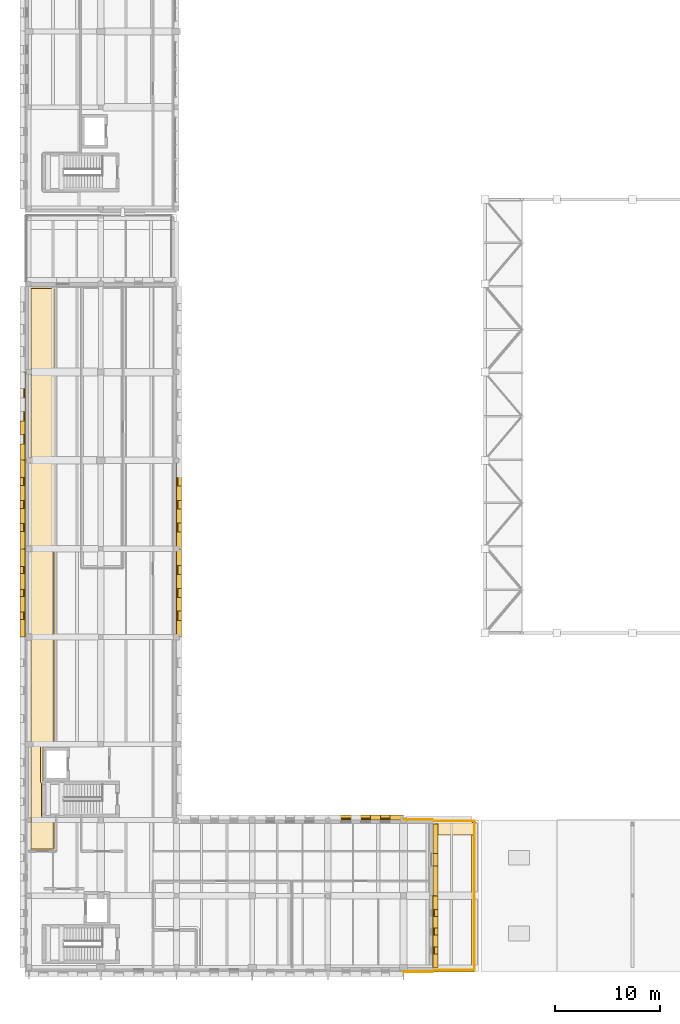
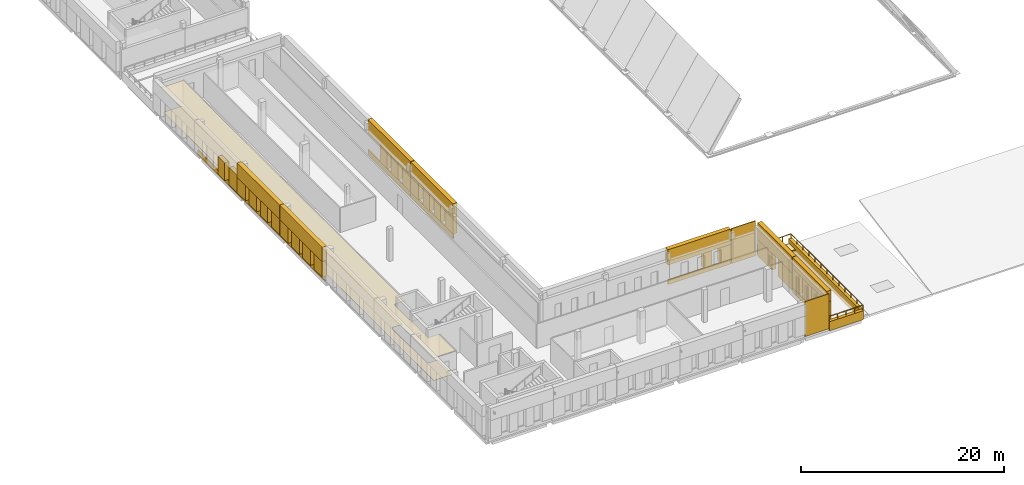
# One storey, part 49 of 56: 46 coverings, 1 railing.
"""IFC4 building model written with IfcOpenShell, lengths in metres."""

from ifc_helpers import new_model, si_unit, direction, frame, origin, origin_2d, place, context, subcontext, project, spatial, polyline, circle, outline, extrude, material, layer, layer_set, type_object, element, save


model = new_model("IFC4")

# Units and contexts
model_context = context("Model", 3, precision=1e-05, world=origin(), true_north=direction((0.0, 1.0)))
body_context = subcontext(model_context, "Body", "Model", "MODEL_VIEW")
ifc_project = project(units=[si_unit("LENGTHUNIT", "METRE"), si_unit("AREAUNIT", "SQUARE_METRE"), si_unit("VOLUMEUNIT", "CUBIC_METRE"), si_unit("PLANEANGLEUNIT", "RADIAN"), si_unit("MASSUNIT", "GRAM", prefix="KILO")], contexts=[model_context])

# Site, building, storey
site_placement = place(None, origin())
site = spatial("IfcSite", under=ifc_project, at=site_placement, CompositionType="ELEMENT")
building_placement = place(site_placement, origin())
building = spatial("IfcBuilding", under=site, at=building_placement, Name="Vardoun Plaza Health Centre", CompositionType="ELEMENT")
storey_placement = place(building_placement, frame((0.0, 0.0, 8.699951171875)))
storey = spatial("IfcBuildingStorey", under=building, at=storey_placement, Name="L02", CompositionType="ELEMENT", Elevation=8.699951171875)

# Coverings
ifc_material_1 = material(Name="Hygienic Acoustic Mineral-Fibre Ceiling", Category="concrete")
ifc_layer_1 = layer(ifc_material_1, 0.02490234375)
ifc_layer_set_1 = layer_set([ifc_layer_1], Name="Hygienic Acoustic Mineral-Fibre Ceiling")
covering_type_1 = type_object("IfcCoveringType", Name="CL-01", PredefinedType="CEILING", material=ifc_layer_set_1)
covering_1_placement = place(storey_placement, frame((0.0, 0.0, 2.880126953125)))
element("IfcCovering", 1, at=covering_1_placement, inside=storey, type_object=covering_type_1, Name="Specialist Consulting Room 22 Acoustic Ceiling", PredefinedType="CEILING", context=body_context, shape_type="SweptSolid", body=[
    extrude(outline(polyline([(4.860107421875, 69.639892578125), (7.449951171875, 69.639892578125), (7.449951171875, 25.860107421875), (6.199951171875, 25.860107421875), (6.198974609375, 25.860107421875), (6.197998046875, 25.85986328125), (6.197021484375, 25.859619140625), (6.1962890625, 25.859130859375), (6.1953125, 25.85888671875), (6.1943359375, 25.8583984375), (6.193603515625, 25.857666015625), (6.19287109375, 25.857177734375), (6.1923828125, 25.856201171875), (6.191650390625, 25.855712890625), (6.191162109375, 25.854736328125), (6.19091796875, 25.853759765625), (6.1904296875, 25.852783203125), (6.190185546875, 25.85205078125), (6.18994140625, 25.85107421875), (6.18994140625, 25.85009765625), (6.18994140625, 22.550048828125), (6.18994140625, 22.549072265625), (6.190185546875, 22.548095703125), (6.1904296875, 22.547119140625), (6.19091796875, 22.546142578125), (6.191162109375, 22.54541015625), (6.191650390625, 22.54443359375), (6.1923828125, 22.543701171875), (6.19287109375, 22.54296875), (6.193603515625, 22.542236328125), (6.1943359375, 22.541748046875), (6.1953125, 22.541259765625), (6.1962890625, 22.540771484375), (6.197021484375, 22.540283203125), (6.197998046875, 22.540283203125), (6.198974609375, 22.5400390625), (6.199951171875, 22.5400390625), (7.449951171875, 22.5400390625), (7.449951171875, 22.4599609375), (6.300048828125, 22.4599609375), (6.299072265625, 22.4599609375), (6.298095703125, 22.459716796875), (6.297119140625, 22.459716796875), (6.296142578125, 22.459228515625), (6.29541015625, 22.458740234375), (6.29443359375, 22.458251953125), (6.293701171875, 22.457763671875), (6.29296875, 22.45703125), (6.292236328125, 22.456298828125), (6.291748046875, 22.45556640625), (6.291259765625, 22.45458984375), (6.290771484375, 22.453857421875), (6.290283203125, 22.452880859375), (6.290283203125, 22.451904296875), (6.2900390625, 22.450927734375), (6.2900390625, 22.449951171875), (6.2900390625, 19.300048828125), (6.2900390625, 19.299072265625), (6.290283203125, 19.298095703125), (6.290283203125, 19.297119140625), (6.290771484375, 19.296142578125), (6.291259765625, 19.29541015625), (6.291748046875, 19.29443359375), (6.292236328125, 19.293701171875), (6.29296875, 19.29296875), (6.293701171875, 19.292236328125), (6.29443359375, 19.291748046875), (6.29541015625, 19.291259765625), (6.296142578125, 19.290771484375), (6.297119140625, 19.290283203125), (6.298095703125, 19.290283203125), (6.299072265625, 19.2900390625), (6.300048828125, 19.2900390625), (7.449951171875, 19.2900390625), (7.449951171875, 15.929931640625), (4.860107421875, 15.929931640625), (4.860107421875, 69.639892578125)])), origin(), (0.0, 0.0, 1.0), 0.02490234375),
])
ifc_material_2 = material(Name="Pale Limestone Concrete C35/45", Category="masonry")
ifc_layer_2 = layer(ifc_material_2, 0.080078125)
ifc_layer_set_2 = layer_set([ifc_layer_2], Name="Pale Limestone Concrete C35/45")
covering_type_2 = type_object("IfcCoveringType", Name="CL-EXT1", PredefinedType="CLADDING", material=ifc_layer_set_2)
covering_2_placement = place(storey_placement, origin())
element("IfcCovering", 2, at=covering_2_placement, inside=storey, type_object=covering_type_2, Name="V2 L02 Pale Concrete Sill Band 190", PredefinedType="CLADDING", context=body_context, shape_type="SweptSolid", body=[
    extrude(outline(polyline([(18.89990234375, 53.080078125), (18.89990234375, 44.719970703125), (19.0400390625, 44.719970703125), (19.0400390625, 53.080078125), (18.89990234375, 53.080078125)])), origin(), (0.0, 0.0, 1.0), 0.550048828125),
])
covering_3_placement = place(storey_placement, frame((0.0, 0.0, 2.610107421875)))
element("IfcCovering", 3, at=covering_3_placement, inside=storey, type_object=covering_type_2, Name="V2 L02 Sculpted Concrete Eyebrow Hood 191", PredefinedType="CLADDING", context=body_context, shape_type="SweptSolid", body=[
    extrude(outline(polyline([(18.89990234375, 53.080078125), (18.89990234375, 44.719970703125), (19.3798828125, 44.719970703125), (19.3798828125, 53.080078125), (18.89990234375, 53.080078125)])), origin(), (0.0, 0.0, 1.0), 1.58984375),
])
covering_4_placement = place(storey_placement, frame((0.0, 0.0, 0.550048828125)))
element("IfcCovering", 4, at=covering_4_placement, inside=storey, type_object=covering_type_2, Name="V2 L02 Deep-Punched Slot Concrete Reveal Pier 193", PredefinedType="CLADDING", context=body_context, shape_type="SweptSolid", body=[
    extrude(outline(polyline([(18.89990234375, 50.678955078125), (18.89990234375, 49.304931640625), (19.3798828125, 49.304931640625), (19.3798828125, 50.678955078125), (18.89990234375, 50.678955078125)])), origin(), (0.0, 0.0, 1.0), 2.06005859375),
])
covering_5_placement = place(storey_placement, frame((0.0, 0.0, 0.550048828125)))
element("IfcCovering", 5, at=covering_5_placement, inside=storey, type_object=covering_type_2, Name="V2 L02 Deep-Punched Slot Concrete Reveal Pier 194", PredefinedType="CLADDING", context=body_context, shape_type="SweptSolid", body=[
    extrude(outline(polyline([(18.89990234375, 48.4951171875), (18.89990234375, 47.12109375), (19.3798828125, 47.12109375), (19.3798828125, 48.4951171875), (18.89990234375, 48.4951171875)])), origin(), (0.0, 0.0, 1.0), 2.06005859375),
])
covering_6_placement = place(storey_placement, frame((0.0, 0.0, 0.550048828125)))
element("IfcCovering", 6, at=covering_6_placement, inside=storey, type_object=covering_type_2, Name="V2 L02 Deep-Punched Slot Concrete Reveal Pier 195", PredefinedType="CLADDING", context=body_context, shape_type="SweptSolid", body=[
    extrude(outline(polyline([(18.89990234375, 46.31103515625), (18.89990234375, 44.719970703125), (19.3798828125, 44.719970703125), (19.3798828125, 46.31103515625), (18.89990234375, 46.31103515625)])), origin(), (0.0, 0.0, 1.0), 2.06005859375),
])
covering_7_placement = place(storey_placement, origin())
element("IfcCovering", 7, at=covering_7_placement, inside=storey, type_object=covering_type_2, Name="V2 L02 Pale Concrete Sill Band 196", PredefinedType="CLADDING", context=body_context, shape_type="SweptSolid", body=[
    extrude(outline(polyline([(18.89990234375, 44.679931640625), (18.89990234375, 36.320068359375), (19.0400390625, 36.320068359375), (19.0400390625, 44.679931640625), (18.89990234375, 44.679931640625)])), origin(), (0.0, 0.0, 1.0), 0.550048828125),
])
covering_8_placement = place(storey_placement, frame((0.0, 0.0, 2.610107421875)))
element("IfcCovering", 8, at=covering_8_placement, inside=storey, type_object=covering_type_2, Name="V2 L02 Sculpted Concrete Eyebrow Hood 197", PredefinedType="CLADDING", context=body_context, shape_type="SweptSolid", body=[
    extrude(outline(polyline([(18.89990234375, 44.679931640625), (18.89990234375, 36.320068359375), (19.3798828125, 36.320068359375), (19.3798828125, 44.679931640625), (18.89990234375, 44.679931640625)])), origin(), (0.0, 0.0, 1.0), 1.58984375),
])
covering_9_placement = place(storey_placement, frame((0.0, 0.0, 0.550048828125)))
element("IfcCovering", 9, at=covering_9_placement, inside=storey, type_object=covering_type_2, Name="V2 L02 Deep-Punched Slot Concrete Reveal Pier 198", PredefinedType="CLADDING", context=body_context, shape_type="SweptSolid", body=[
    extrude(outline(polyline([(18.89990234375, 44.679931640625), (18.89990234375, 43.118896484375), (19.3798828125, 43.118896484375), (19.3798828125, 44.679931640625), (18.89990234375, 44.679931640625)])), origin(), (0.0, 0.0, 1.0), 2.06005859375),
])
covering_10_placement = place(storey_placement, frame((0.0, 0.0, 0.550048828125)))
element("IfcCovering", 10, at=covering_10_placement, inside=storey, type_object=covering_type_2, Name="V2 L02 Deep-Punched Slot Concrete Reveal Pier 199", PredefinedType="CLADDING", context=body_context, shape_type="SweptSolid", body=[
    extrude(outline(polyline([(18.89990234375, 42.2490234375), (18.89990234375, 40.93505859375), (19.3798828125, 40.93505859375), (19.3798828125, 42.2490234375), (18.89990234375, 42.2490234375)])), origin(), (0.0, 0.0, 1.0), 2.06005859375),
])
covering_11_placement = place(storey_placement, frame((0.0, 0.0, 0.550048828125)))
element("IfcCovering", 11, at=covering_11_placement, inside=storey, type_object=covering_type_2, Name="V2 L02 Deep-Punched Slot Concrete Reveal Pier 200", PredefinedType="CLADDING", context=body_context, shape_type="SweptSolid", body=[
    extrude(outline(polyline([(18.89990234375, 40.06494140625), (18.89990234375, 38.7509765625), (19.3798828125, 38.7509765625), (19.3798828125, 40.06494140625), (18.89990234375, 40.06494140625)])), origin(), (0.0, 0.0, 1.0), 2.06005859375),
])
covering_12_placement = place(storey_placement, frame((0.0, 0.0, 0.550048828125)))
element("IfcCovering", 12, at=covering_12_placement, inside=storey, type_object=covering_type_2, Name="V2 L02 Deep-Punched Slot Concrete Reveal Pier 201", PredefinedType="CLADDING", context=body_context, shape_type="SweptSolid", body=[
    extrude(outline(polyline([(18.89990234375, 37.881103515625), (18.89990234375, 36.320068359375), (19.3798828125, 36.320068359375), (19.3798828125, 37.881103515625), (18.89990234375, 37.881103515625)])), origin(), (0.0, 0.0, 1.0), 2.06005859375),
])
covering_13_placement = place(storey_placement, origin())
element("IfcCovering", 13, at=covering_13_placement, inside=storey, type_object=covering_type_2, Name="V2 L02 Pale Concrete Sill Band 225", PredefinedType="CLADDING", context=body_context, shape_type="SweptSolid", body=[
    extrude(outline(polyline([(33.320068359375, 18.89990234375), (40.47998046875, 18.89990234375), (40.47998046875, 19.0400390625), (33.320068359375, 19.0400390625), (33.320068359375, 18.89990234375)])), origin(), (0.0, 0.0, 1.0), 0.550048828125),
])
covering_14_placement = place(storey_placement, frame((0.0, 0.0, 2.35009765625)))
element("IfcCovering", 14, at=covering_14_placement, inside=storey, type_object=covering_type_2, Name="V2 L02 Sculpted Concrete Eyebrow Hood 226", PredefinedType="CLADDING", context=body_context, shape_type="SweptSolid", body=[
    extrude(outline(polyline([(33.320068359375, 18.89990234375), (40.47998046875, 18.89990234375), (40.47998046875, 19.3798828125), (33.320068359375, 19.3798828125), (33.320068359375, 18.89990234375)])), origin(), (0.0, 0.0, 1.0), 1.849853515625),
])
covering_15_placement = place(storey_placement, frame((0.0, 0.0, 0.550048828125)))
element("IfcCovering", 15, at=covering_15_placement, inside=storey, type_object=covering_type_2, Name="V2 L02 Deep-Punched Slot Concrete Reveal Pier 229", PredefinedType="CLADDING", context=body_context, shape_type="SweptSolid", body=[
    extrude(outline(polyline([(37.360107421875, 18.89990234375), (38.31201171875, 18.89990234375), (38.31201171875, 19.3798828125), (37.360107421875, 19.3798828125), (37.360107421875, 18.89990234375)])), origin(), (0.0, 0.0, 1.0), 1.800048828125),
])
covering_16_placement = place(storey_placement, frame((0.0, 0.0, 0.550048828125)))
element("IfcCovering", 16, at=covering_16_placement, inside=storey, type_object=covering_type_2, Name="V2 L02 Deep-Punched Slot Concrete Reveal Pier 230", PredefinedType="CLADDING", context=body_context, shape_type="SweptSolid", body=[
    extrude(outline(polyline([(39.23193359375, 18.89990234375), (40.47998046875, 18.89990234375), (40.47998046875, 19.3798828125), (39.23193359375, 19.3798828125), (39.23193359375, 18.89990234375)])), origin(), (0.0, 0.0, 1.0), 1.800048828125),
])
covering_17_placement = place(storey_placement, origin())
element("IfcCovering", 17, at=covering_17_placement, inside=storey, type_object=covering_type_2, Name="V2 L02 Sculpted Pale Concrete Bastion Skin 231", PredefinedType="CLADDING", context=body_context, shape_type="SweptSolid", body=[
    extrude(outline(polyline([(40.52001953125, 18.89990234375), (43.280029296875, 18.89990234375), (43.280029296875, 18.985107421875), (40.52001953125, 18.985107421875), (40.52001953125, 18.89990234375)])), origin(), (0.0, 0.0, 1.0), 4.199951171875),
])
covering_18_placement = place(storey_placement, frame((0.0, 0.0, 2.2099609375)))
element("IfcCovering", 18, at=covering_18_placement, inside=storey, type_object=covering_type_2, Name="V2 L02 Sculpted Concrete Eyebrow Hood 232", PredefinedType="CLADDING", context=body_context, shape_type="SweptSolid", body=[
    extrude(outline(polyline([(43.300048828125, 18.534912109375), (43.300048828125, 11.719970703125), (43.780029296875, 11.719970703125), (43.780029296875, 18.534912109375), (43.300048828125, 18.534912109375)])), origin(), (0.0, 0.0, 1.0), 1.989990234375),
])
covering_19_placement = place(storey_placement, frame((0.0, 0.0, 0.18994140625)))
element("IfcCovering", 19, at=covering_19_placement, inside=storey, type_object=covering_type_2, Name="V2 L02 Deep-Punched Slot Concrete Reveal Pier 233", PredefinedType="CLADDING", context=body_context, shape_type="SweptSolid", body=[
    extrude(outline(polyline([(43.300048828125, 18.534912109375), (43.300048828125, 15.722412109375), (43.780029296875, 15.722412109375), (43.780029296875, 18.534912109375), (43.300048828125, 18.534912109375)])), origin(), (0.0, 0.0, 1.0), 2.02001953125),
])
covering_20_placement = place(storey_placement, frame((0.0, 0.0, 0.18994140625)))
element("IfcCovering", 20, at=covering_20_placement, inside=storey, type_object=covering_type_2, Name="V2 L02 Deep-Punched Slot Concrete Reveal Pier 234", PredefinedType="CLADDING", context=body_context, shape_type="SweptSolid", body=[
    extrude(outline(polyline([(43.300048828125, 14.532470703125), (43.300048828125, 11.719970703125), (43.780029296875, 11.719970703125), (43.780029296875, 14.532470703125), (43.300048828125, 14.532470703125)])), origin(), (0.0, 0.0, 1.0), 2.02001953125),
])
covering_21_placement = place(storey_placement, origin())
element("IfcCovering", 21, at=covering_21_placement, inside=storey, type_object=covering_type_2, Name="V2 L02 Pale Concrete Sill Band 235", PredefinedType="CLADDING", context=body_context, shape_type="SweptSolid", body=[
    extrude(outline(polyline([(43.300048828125, 11.679931640625), (43.300048828125, 4.864990234375), (43.43994140625, 4.864990234375), (43.43994140625, 11.679931640625), (43.300048828125, 11.679931640625)])), origin(), (0.0, 0.0, 1.0), 0.550048828125),
])
covering_22_placement = place(storey_placement, frame((0.0, 0.0, 2.900146484375)))
element("IfcCovering", 22, at=covering_22_placement, inside=storey, type_object=covering_type_2, Name="V2 L02 Sculpted Concrete Eyebrow Hood 236", PredefinedType="CLADDING", context=body_context, shape_type="SweptSolid", body=[
    extrude(outline(polyline([(43.300048828125, 11.679931640625), (43.300048828125, 4.864990234375), (43.780029296875, 4.864990234375), (43.780029296875, 11.679931640625), (43.300048828125, 11.679931640625)])), origin(), (0.0, 0.0, 1.0), 1.2998046875),
])
covering_23_placement = place(storey_placement, frame((0.0, 0.0, 0.550048828125)))
element("IfcCovering", 23, at=covering_23_placement, inside=storey, type_object=covering_type_2, Name="V2 L02 Deep-Punched Slot Concrete Reveal Pier 237", PredefinedType="CLADDING", context=body_context, shape_type="SweptSolid", body=[
    extrude(outline(polyline([(43.300048828125, 11.679931640625), (43.300048828125, 10.384765625), (43.780029296875, 10.384765625), (43.780029296875, 11.679931640625), (43.300048828125, 11.679931640625)])), origin(), (0.0, 0.0, 1.0), 2.35009765625),
])
covering_24_placement = place(storey_placement, frame((0.0, 0.0, 0.550048828125)))
element("IfcCovering", 24, at=covering_24_placement, inside=storey, type_object=covering_type_2, Name="V2 L02 Deep-Punched Slot Concrete Reveal Pier 238", PredefinedType="CLADDING", context=body_context, shape_type="SweptSolid", body=[
    extrude(outline(polyline([(43.300048828125, 9.724853515625), (43.300048828125, 8.6025390625), (43.780029296875, 8.6025390625), (43.780029296875, 9.724853515625), (43.300048828125, 9.724853515625)])), origin(), (0.0, 0.0, 1.0), 2.35009765625),
])
covering_25_placement = place(storey_placement, frame((0.0, 0.0, 0.550048828125)))
element("IfcCovering", 25, at=covering_25_placement, inside=storey, type_object=covering_type_2, Name="V2 L02 Deep-Punched Slot Concrete Reveal Pier 239", PredefinedType="CLADDING", context=body_context, shape_type="SweptSolid", body=[
    extrude(outline(polyline([(43.300048828125, 7.9423828125), (43.300048828125, 6.8203125), (43.780029296875, 6.8203125), (43.780029296875, 7.9423828125), (43.300048828125, 7.9423828125)])), origin(), (0.0, 0.0, 1.0), 2.35009765625),
])
covering_26_placement = place(storey_placement, frame((0.0, 0.0, 0.550048828125)))
element("IfcCovering", 26, at=covering_26_placement, inside=storey, type_object=covering_type_2, Name="V2 L02 Deep-Punched Slot Concrete Reveal Pier 240", PredefinedType="CLADDING", context=body_context, shape_type="SweptSolid", body=[
    extrude(outline(polyline([(43.300048828125, 6.16015625), (43.300048828125, 4.864990234375), (43.780029296875, 4.864990234375), (43.780029296875, 6.16015625), (43.300048828125, 6.16015625)])), origin(), (0.0, 0.0, 1.0), 2.35009765625),
])
covering_27_placement = place(storey_placement, origin())
element("IfcCovering", 27, at=covering_27_placement, inside=storey, type_object=covering_type_2, Name="V2 L02 Sculpted Pale Concrete Bastion Skin 241", PredefinedType="CLADDING", context=body_context, shape_type="SweptSolid", body=[
    extrude(outline(polyline([(43.280029296875, 4.5), (40.52001953125, 4.5), (40.52001953125, 4.4150390625), (43.280029296875, 4.4150390625), (43.280029296875, 4.5)])), origin(), (0.0, 0.0, 1.0), 4.199951171875),
])
covering_28_placement = place(storey_placement, origin())
element("IfcCovering", 28, at=covering_28_placement, inside=storey, type_object=covering_type_2, Name="V2 L02 Pale Concrete Sill Band 296", PredefinedType="CLADDING", context=body_context, shape_type="SweptSolid", body=[
    extrude(outline(polyline([(4.5, 36.320068359375), (4.5, 44.679931640625), (4.360107421875, 44.679931640625), (4.360107421875, 36.320068359375), (4.5, 36.320068359375)])), origin(), (0.0, 0.0, 1.0), 0.60009765625),
])
covering_29_placement = place(storey_placement, frame((0.0, 0.0, 2.449951171875)))
element("IfcCovering", 29, at=covering_29_placement, inside=storey, type_object=covering_type_2, Name="V2 L02 Sculpted Concrete Eyebrow Hood 297", PredefinedType="CLADDING", context=body_context, shape_type="SweptSolid", body=[
    extrude(outline(polyline([(4.5, 36.320068359375), (4.5, 44.679931640625), (4.02001953125, 44.679931640625), (4.02001953125, 36.320068359375), (4.5, 36.320068359375)])), origin(), (0.0, 0.0, 1.0), 1.75),
])
covering_30_placement = place(storey_placement, frame((0.0, 0.0, 0.60009765625)))
element("IfcCovering", 30, at=covering_30_placement, inside=storey, type_object=covering_type_2, Name="V2 L02 Deep-Punched Slot Concrete Reveal Pier 298", PredefinedType="CLADDING", context=body_context, shape_type="SweptSolid", body=[
    extrude(outline(polyline([(4.5, 36.320068359375), (4.5, 37.97607421875), (4.02001953125, 37.97607421875), (4.02001953125, 36.320068359375), (4.5, 36.320068359375)])), origin(), (0.0, 0.0, 1.0), 1.849853515625),
])
covering_31_placement = place(storey_placement, frame((0.0, 0.0, 0.60009765625)))
element("IfcCovering", 31, at=covering_31_placement, inside=storey, type_object=covering_type_2, Name="V2 L02 Deep-Punched Slot Concrete Reveal Pier 299", PredefinedType="CLADDING", context=body_context, shape_type="SweptSolid", body=[
    extrude(outline(polyline([(4.5, 38.656005859375), (4.5, 40.159912109375), (4.02001953125, 40.159912109375), (4.02001953125, 38.656005859375), (4.5, 38.656005859375)])), origin(), (0.0, 0.0, 1.0), 1.849853515625),
])
covering_32_placement = place(storey_placement, frame((0.0, 0.0, 0.60009765625)))
element("IfcCovering", 32, at=covering_32_placement, inside=storey, type_object=covering_type_2, Name="V2 L02 Deep-Punched Slot Concrete Reveal Pier 300", PredefinedType="CLADDING", context=body_context, shape_type="SweptSolid", body=[
    extrude(outline(polyline([(4.5, 40.840087890625), (4.5, 42.343994140625), (4.02001953125, 42.343994140625), (4.02001953125, 40.840087890625), (4.5, 40.840087890625)])), origin(), (0.0, 0.0, 1.0), 1.849853515625),
])
covering_33_placement = place(storey_placement, frame((0.0, 0.0, 0.60009765625)))
element("IfcCovering", 33, at=covering_33_placement, inside=storey, type_object=covering_type_2, Name="V2 L02 Deep-Punched Slot Concrete Reveal Pier 301", PredefinedType="CLADDING", context=body_context, shape_type="SweptSolid", body=[
    extrude(outline(polyline([(4.5, 43.02392578125), (4.5, 44.679931640625), (4.02001953125, 44.679931640625), (4.02001953125, 43.02392578125), (4.5, 43.02392578125)])), origin(), (0.0, 0.0, 1.0), 1.849853515625),
])
covering_34_placement = place(storey_placement, origin())
element("IfcCovering", 34, at=covering_34_placement, inside=storey, type_object=covering_type_2, Name="V2 L02 Pale Concrete Sill Band 302", PredefinedType="CLADDING", context=body_context, shape_type="SweptSolid", body=[
    extrude(outline(polyline([(4.5, 44.719970703125), (4.5, 53.080078125), (4.360107421875, 53.080078125), (4.360107421875, 44.719970703125), (4.5, 44.719970703125)])), origin(), (0.0, 0.0, 1.0), 0.60009765625),
])
covering_35_placement = place(storey_placement, frame((0.0, 0.0, 2.449951171875)))
element("IfcCovering", 35, at=covering_35_placement, inside=storey, type_object=covering_type_2, Name="V2 L02 Sculpted Concrete Eyebrow Hood 303", PredefinedType="CLADDING", context=body_context, shape_type="SweptSolid", body=[
    extrude(outline(polyline([(4.5, 44.719970703125), (4.5, 53.080078125), (4.02001953125, 53.080078125), (4.02001953125, 44.719970703125), (4.5, 44.719970703125)])), origin(), (0.0, 0.0, 1.0), 1.75),
])
covering_36_placement = place(storey_placement, frame((0.0, 0.0, 0.60009765625)))
element("IfcCovering", 36, at=covering_36_placement, inside=storey, type_object=covering_type_2, Name="V2 L02 Deep-Punched Slot Concrete Reveal Pier 304", PredefinedType="CLADDING", context=body_context, shape_type="SweptSolid", body=[
    extrude(outline(polyline([(4.5, 44.719970703125), (4.5, 46.3359375), (4.02001953125, 46.3359375), (4.02001953125, 44.719970703125), (4.5, 44.719970703125)])), origin(), (0.0, 0.0, 1.0), 1.849853515625),
])
covering_37_placement = place(storey_placement, frame((0.0, 0.0, 0.60009765625)))
element("IfcCovering", 37, at=covering_37_placement, inside=storey, type_object=covering_type_2, Name="V2 L02 Deep-Punched Slot Concrete Reveal Pier 305", PredefinedType="CLADDING", context=body_context, shape_type="SweptSolid", body=[
    extrude(outline(polyline([(4.5, 47.095947265625), (4.5, 48.52001953125), (4.02001953125, 48.52001953125), (4.02001953125, 47.095947265625), (4.5, 47.095947265625)])), origin(), (0.0, 0.0, 1.0), 1.849853515625),
])
covering_38_placement = place(storey_placement, frame((0.0, 0.0, 0.60009765625)))
element("IfcCovering", 38, at=covering_38_placement, inside=storey, type_object=covering_type_2, Name="V2 L02 Deep-Punched Slot Concrete Reveal Pier 306", PredefinedType="CLADDING", context=body_context, shape_type="SweptSolid", body=[
    extrude(outline(polyline([(4.5, 49.280029296875), (4.5, 50.7041015625), (4.02001953125, 50.7041015625), (4.02001953125, 49.280029296875), (4.5, 49.280029296875)])), origin(), (0.0, 0.0, 1.0), 1.849853515625),
])
covering_39_placement = place(storey_placement, frame((0.0, 0.0, 0.60009765625)))
element("IfcCovering", 39, at=covering_39_placement, inside=storey, type_object=covering_type_2, Name="V2 L02 Deep-Punched Slot Concrete Reveal Pier 307", PredefinedType="CLADDING", context=body_context, shape_type="SweptSolid", body=[
    extrude(outline(polyline([(4.5, 51.464111328125), (4.5, 53.080078125), (4.02001953125, 53.080078125), (4.02001953125, 51.464111328125), (4.5, 51.464111328125)])), origin(), (0.0, 0.0, 1.0), 1.849853515625),
])
covering_40_placement = place(storey_placement, origin())
element("IfcCovering", 40, at=covering_40_placement, inside=storey, type_object=covering_type_2, Name="V2 L02 Pale Concrete Sill Band 308", PredefinedType="CLADDING", context=body_context, shape_type="SweptSolid", body=[
    extrude(outline(polyline([(4.5, 53.1201171875), (4.5, 61.47998046875), (4.360107421875, 61.47998046875), (4.360107421875, 53.1201171875), (4.5, 53.1201171875)])), origin(), (0.0, 0.0, 1.0), 0.550048828125),
])
covering_41_placement = place(storey_placement, frame((0.0, 0.0, 0.550048828125)))
element("IfcCovering", 41, at=covering_41_placement, inside=storey, type_object=covering_type_2, Name="V2 L02 Deep-Punched Slot Concrete Reveal Pier 310", PredefinedType="CLADDING", context=body_context, shape_type="SweptSolid", body=[
    extrude(outline(polyline([(4.5, 53.1201171875), (4.5, 54.676025390625), (4.02001953125, 54.676025390625), (4.02001953125, 53.1201171875), (4.5, 53.1201171875)])), origin(), (0.0, 0.0, 1.0), 2.1201171875),
])
covering_42_placement = place(storey_placement, frame((0.0, 0.0, 0.550048828125)))
element("IfcCovering", 42, at=covering_42_placement, inside=storey, type_object=covering_type_2, Name="V2 L02 Deep-Punched Slot Concrete Reveal Pier 311", PredefinedType="CLADDING", context=body_context, shape_type="SweptSolid", body=[
    extrude(outline(polyline([(4.5, 55.555908203125), (4.5, 56.860107421875), (4.02001953125, 56.860107421875), (4.02001953125, 55.555908203125), (4.5, 55.555908203125)])), origin(), (0.0, 0.0, 1.0), 2.1201171875),
])
covering_43_placement = place(storey_placement, frame((0.0, 0.0, -0.280029296875)))
element("IfcCovering", 43, at=covering_43_placement, inside=storey, type_object=covering_type_2, Name="V2 L02 Sculpted White Terrace Planter Ribbon S2", PredefinedType="CLADDING", context=body_context, shape_type="SweptSolid", body=[
    extrude(outline(polyline([(43.35009765625, 4.419921875), (47.199951171875, 4.419921875), (47.199951171875, 4.780029296875), (43.35009765625, 4.780029296875), (43.35009765625, 4.419921875)])), origin(), (0.0, 0.0, 1.0), 1.090087890625),
])
covering_44_placement = place(storey_placement, frame((0.0, 0.0, -0.280029296875)))
element("IfcCovering", 44, at=covering_44_placement, inside=storey, type_object=covering_type_2, Name="V2 L02 Sculpted White Terrace Planter Ribbon E2", PredefinedType="CLADDING", context=body_context, shape_type="SweptSolid", body=[
    extrude(outline(polyline([(46.97998046875, 4.780029296875), (47.340087890625, 4.780029296875), (47.340087890625, 18.85009765625), (46.97998046875, 18.85009765625), (46.97998046875, 4.780029296875)])), origin(), (0.0, 0.0, 1.0), 1.090087890625),
])
ifc_material_3 = material(Name="Seamless Conductive Clinical Vinyl Flooring", Category="concrete")
ifc_layer_3 = layer(ifc_material_3, 0.014892578125)
ifc_layer_set_3 = layer_set([ifc_layer_3], Name="Seamless Conductive Clinical Vinyl Flooring")
covering_type_3 = type_object("IfcCoveringType", Name="FL-01", PredefinedType="FLOORING", material=ifc_layer_set_3)
covering_45_placement = place(storey_placement, origin())
element("IfcCovering", 45, at=covering_45_placement, inside=storey, type_object=covering_type_3, Name="Specialist Consulting Room 22 Floor Finish", PredefinedType="FLOORING", context=body_context, shape_type="SweptSolid", body=[
    extrude(outline(polyline([(5.070068359375, 69.429931640625), (7.239990234375, 69.429931640625), (7.239990234375, 26.070068359375), (6.199951171875, 26.070068359375), (6.178466796875, 26.06884765625), (6.156982421875, 26.06591796875), (6.135986328125, 26.060546875), (6.11572265625, 26.05322265625), (6.09619140625, 26.0439453125), (6.077880859375, 26.032958984375), (6.060302734375, 26.02001953125), (6.04443359375, 26.005615234375), (6.02978515625, 25.989501953125), (6.01708984375, 25.97216796875), (6.006103515625, 25.95361328125), (5.99658203125, 25.93408203125), (5.989501953125, 25.913818359375), (5.984130859375, 25.892822265625), (5.981201171875, 25.87158203125), (5.97998046875, 25.85009765625), (5.97998046875, 22.550048828125), (5.981201171875, 22.5283203125), (5.984130859375, 22.507080078125), (5.989501953125, 22.486083984375), (5.99658203125, 22.4658203125), (6.006103515625, 22.4462890625), (6.01708984375, 22.427734375), (6.02978515625, 22.410400390625), (6.04443359375, 22.394287109375), (6.060302734375, 22.3798828125), (6.077880859375, 22.3671875), (6.080078125, 22.36572265625), (6.080078125, 19.300048828125), (6.0810546875, 19.2783203125), (6.084228515625, 19.257080078125), (6.089599609375, 19.236083984375), (6.0966796875, 19.2158203125), (6.10595703125, 19.1962890625), (6.1171875, 19.177734375), (6.1298828125, 19.160400390625), (6.144287109375, 19.144287109375), (6.160400390625, 19.1298828125), (6.177734375, 19.1171875), (6.1962890625, 19.10595703125), (6.2158203125, 19.0966796875), (6.236083984375, 19.089599609375), (6.257080078125, 19.084228515625), (6.2783203125, 19.0810546875), (6.300048828125, 19.080078125), (7.239990234375, 19.080078125), (7.239990234375, 16.139892578125), (5.070068359375, 16.139892578125), (5.070068359375, 69.429931640625)])), origin(), (0.0, 0.0, 1.0), 0.01513671875),
])
ifc_material_4 = material(Name="Planted Mediterranean Garden Substrate", Category="wood")
ifc_layer_4 = layer(ifc_material_4, 0.139892578125)
ifc_layer_set_4 = layer_set([ifc_layer_4], Name="Planted Mediterranean Garden Substrate")
covering_type_4 = type_object("IfcCoveringType", Name="CV-G1", PredefinedType="ROOFING", material=ifc_layer_set_4)
covering_46_placement = place(storey_placement, frame((0.0, 0.0, 0.18994140625)))
element("IfcCovering", 46, at=covering_46_placement, inside=storey, type_object=covering_type_4, Name="V2 L02 Garden Planter Bed 2", PredefinedType="ROOFING", context=body_context, shape_type="SweptSolid", body=[
    extrude(outline(polyline([(43.550048828125, 17.449951171875), (47.449951171875, 17.449951171875), (47.449951171875, 18.64990234375), (43.550048828125, 18.64990234375), (43.550048828125, 17.449951171875)])), origin(), (0.0, 0.0, 1.0), 0.14013671875),
])

# Railing
ifc_material_5 = material(Name="Galvanised Steel S275JR and Laminated Glass", Category="steel")
railing_type = type_object("IfcRailingType", Name="GR-01", PredefinedType="BALUSTRADE", material=ifc_material_5)
railing_placement = place(storey_placement, frame((43.419921875, 4.6201171875, 0.18994140625)))
element("IfcRailing", 47, at=railing_placement, inside=storey, type_object=railing_type, Name="V2 L02 Terrace Balustrade 2", PredefinedType="BALUSTRADE", context=body_context, shape_type="SweptSolid", body=[
    extrude(circle(Radius=0.02392578125, at=origin_2d()), frame((0.0, 0.0, 1.1259765625), z_axis=(1.0, 0.0, 0.0), x_axis=(0.0, 1.0, 0.0)), (0.0, 0.0, 1.0), 3.830078125),
    extrude(circle(Radius=0.02392578125, at=origin_2d()), frame((3.830078125, 0.0, 1.1259765625), z_axis=(0.0, 1.0, 0.0), x_axis=(-1.0, 0.0, 0.0)), (0.0, 0.0, 1.0), 14.159912109375),
    extrude(circle(Radius=0.02392578125, at=origin_2d()), frame((3.830078125, 14.159912109375, 1.1259765625), z_axis=(-1.0, 0.0, 0.0), x_axis=(0.0, -1.0, 0.0)), (0.0, 0.0, 1.0), 3.830078125),
    extrude(circle(Radius=0.02099609375, at=origin_2d()), origin(), (0.0, 0.0, 1.0), 1.101806640625),
    extrude(circle(Radius=0.02099609375, at=origin_2d()), frame((0.95751953125, 0.0, 0.0)), (0.0, 0.0, 1.0), 1.101806640625),
    extrude(circle(Radius=0.02099609375, at=origin_2d()), frame((1.9150390625, 0.0, 0.0)), (0.0, 0.0, 1.0), 1.101806640625),
    extrude(circle(Radius=0.02099609375, at=origin_2d()), frame((2.87255859375, 0.0, 0.0)), (0.0, 0.0, 1.0), 1.101806640625),
    extrude(circle(Radius=0.02099609375, at=origin_2d()), frame((3.830078125, 0.0, 0.0)), (0.0, 0.0, 1.0), 1.101806640625),
    extrude(circle(Radius=0.02099609375, at=origin_2d()), frame((3.830078125, 1.179931640625, 0.0)), (0.0, 0.0, 1.0), 1.101806640625),
    extrude(circle(Radius=0.02099609375, at=origin_2d()), frame((3.830078125, 2.35986328125, 0.0)), (0.0, 0.0, 1.0), 1.101806640625),
    extrude(circle(Radius=0.02099609375, at=origin_2d()), frame((3.830078125, 3.5400390625, 0.0)), (0.0, 0.0, 1.0), 1.101806640625),
    extrude(circle(Radius=0.02099609375, at=origin_2d()), frame((3.830078125, 4.719970703125, 0.0)), (0.0, 0.0, 1.0), 1.101806640625),
    extrude(circle(Radius=0.02099609375, at=origin_2d()), frame((3.830078125, 5.89990234375, 0.0)), (0.0, 0.0, 1.0), 1.101806640625),
    extrude(circle(Radius=0.02099609375, at=origin_2d()), frame((3.830078125, 7.080078125, 0.0)), (0.0, 0.0, 1.0), 1.101806640625),
    extrude(circle(Radius=0.02099609375, at=origin_2d()), frame((3.830078125, 8.260009765625, 0.0)), (0.0, 0.0, 1.0), 1.101806640625),
    extrude(circle(Radius=0.02099609375, at=origin_2d()), frame((3.830078125, 9.43994140625, 0.0)), (0.0, 0.0, 1.0), 1.101806640625),
    extrude(circle(Radius=0.02099609375, at=origin_2d()), frame((3.830078125, 10.619873046875, 0.0)), (0.0, 0.0, 1.0), 1.101806640625),
    extrude(circle(Radius=0.02099609375, at=origin_2d()), frame((3.830078125, 11.7998046875, 0.0)), (0.0, 0.0, 1.0), 1.101806640625),
    extrude(circle(Radius=0.02099609375, at=origin_2d()), frame((3.830078125, 12.97998046875, 0.0)), (0.0, 0.0, 1.0), 1.101806640625),
    extrude(circle(Radius=0.02099609375, at=origin_2d()), frame((3.830078125, 14.159912109375, 0.0)), (0.0, 0.0, 1.0), 1.101806640625),
    extrude(circle(Radius=0.02099609375, at=origin_2d()), frame((2.87255859375, 14.159912109375, 0.0)), (0.0, 0.0, 1.0), 1.101806640625),
    extrude(circle(Radius=0.02099609375, at=origin_2d()), frame((1.9150390625, 14.159912109375, 0.0)), (0.0, 0.0, 1.0), 1.101806640625),
    extrude(circle(Radius=0.02099609375, at=origin_2d()), frame((0.95751953125, 14.159912109375, 0.0)), (0.0, 0.0, 1.0), 1.101806640625),
    extrude(circle(Radius=0.02099609375, at=origin_2d()), frame((0.0, 14.159912109375, 0.0)), (0.0, 0.0, 1.0), 1.101806640625),
])

save(model, "model.ifc")
